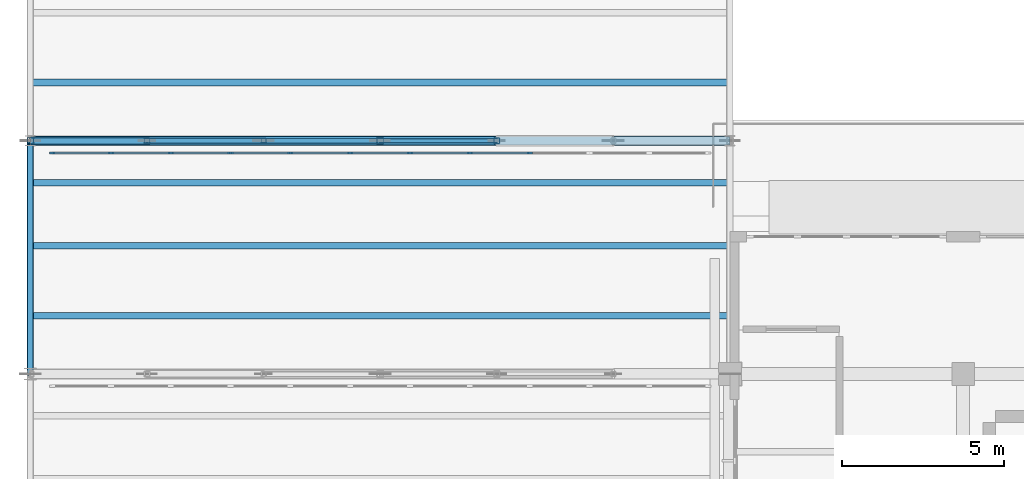
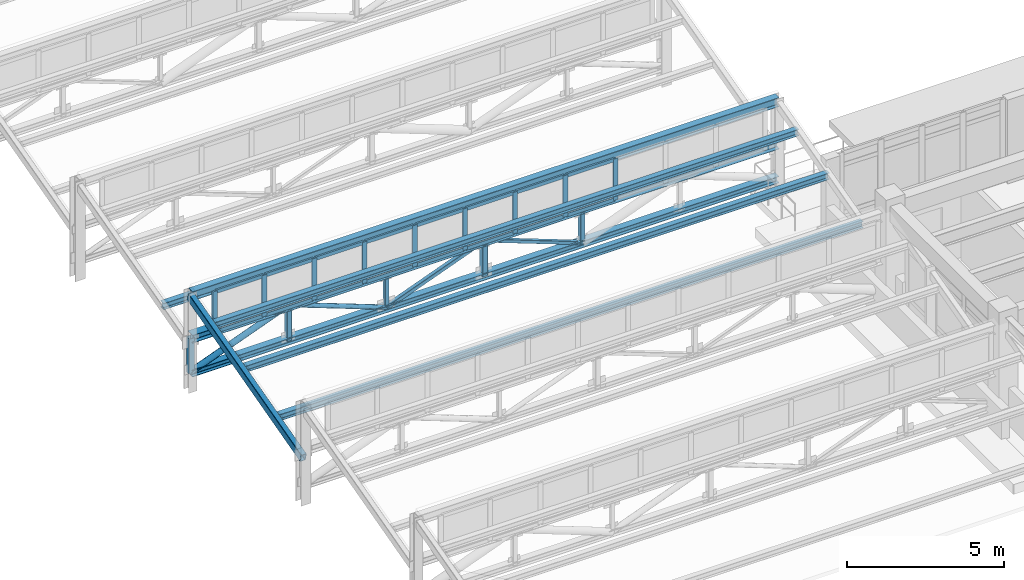
# One storey, part 8 of 55: 36 members, 6 beams, 1 element without a shape of its own.
"""IFC4 building model written with IfcOpenShell, lengths in metres."""

from ifc_helpers import new_model, si_unit, direction, frame, origin, origin_2d, place, context, subcontext, project, spatial, rectangle, hollow_rectangle, hollow_circle, i_section, extrude, material, layer, layer_set, material_profile, profile_set, type_object, element, aggregate, save


model = new_model("IFC4")

# Units and contexts
model_context = context("Model", 3, precision=1e-05, world=origin(), true_north=direction((0.0, 1.0)))
body_context = subcontext(model_context, "Body", "Model", "MODEL_VIEW")
ifc_project = project(units=[si_unit("LENGTHUNIT", "METRE"), si_unit("AREAUNIT", "SQUARE_METRE"), si_unit("VOLUMEUNIT", "CUBIC_METRE"), si_unit("PLANEANGLEUNIT", "RADIAN"), si_unit("MASSUNIT", "GRAM", prefix="KILO")], contexts=[model_context])

# Site, building, storey
site_placement = place(None, origin())
site = spatial("IfcSite", under=ifc_project, at=site_placement, CompositionType="ELEMENT")
building_placement = place(site_placement, origin())
building = spatial("IfcBuilding", under=site, at=building_placement, Name="Solenvale Faculty of Natural Sciences", CompositionType="ELEMENT")
storey_placement = place(building_placement, frame((0.0, 0.0, 22.5)))
storey = spatial("IfcBuildingStorey", under=building, at=storey_placement, Name="L05", CompositionType="ELEMENT", Elevation=22.5)

# Beams
ifc_material_1 = material(Name="Steel S355", Category="steel")
ifc_material_profile_1 = material_profile(ifc_material_1, i_section(OverallWidth=0.202880859375, OverallDepth=0.251953125, WebThickness=0.008056640625, FlangeThickness=0.013427734375, FilletRadius=0.012939453125, at=origin_2d()), Name="W250x58")
ifc_profile_set_1 = profile_set([ifc_material_profile_1], Name="Steel S355")
beam_type_1 = type_object("IfcBeamType", Name="BM-PRL-W250x58", PredefinedType="JOIST", material=ifc_profile_set_1)
for number, where, z_axis, x_axis, name in (
    (1, (36.0, 30.60009765625, 2.19482421875), (1.0, 0.0, 0.0), (0.0, 1.0, 0.0), "V3 Sawtooth Purlin 3.1.1"),
    (2, (36.0, 32.760009765625, 2.773681640625), (1.0, 0.0, 0.0), (0.0, 1.0, 0.0), "V3 Sawtooth Purlin 3.1.2"),
    (3, (36.0, 34.7041015625, 3.294921875), (1.0, 0.0, 0.0), (0.0, 1.0, 0.0), "V3 Sawtooth Purlin 3.1.3"),
    (4, (36.0, 37.800048828125, 2.19482421875), (1.0, 0.0, 0.0), (0.0, 1.0, 0.0), "V3 Sawtooth Purlin 4.1.1"),
):
    element("IfcBeam", number, at=place(storey_placement, frame(where, z_axis=z_axis, x_axis=x_axis)), inside=storey, type_object=beam_type_1, Name=name, PredefinedType="JOIST", context=body_context, shape_type="SweptSolid", body=[
        extrude(i_section(OverallWidth=0.202880859375, OverallDepth=0.251953125, WebThickness=0.008056640625, FlangeThickness=0.013427734375, FilletRadius=0.012939453125, at=origin_2d()), origin(), (0.0, 0.0, 1.0), 21.60009765625),
    ])
ifc_material_profile_2 = material_profile(ifc_material_1, hollow_rectangle(XDim=0.202880859375, YDim=0.304931640625, WallThickness=0.0126953125, InnerFilletRadius=0.0126953125, OuterFilletRadius=0.025390625, at=origin_2d()), Name="HSS305x203x13")
ifc_profile_set_2 = profile_set([ifc_material_profile_2], Name="Steel S355")
beam_type_2 = type_object("IfcBeamType", Name="BM-RAF-HSS305", PredefinedType="BEAM", material=ifc_profile_set_2)
beam_1_placement = place(storey_placement, frame((36.0, 28.800048828125, 1.719970703125), z_axis=(0.0, 0.965901991803, 0.258907980238), x_axis=(-1.0, 0.0, 0.0)))
element("IfcBeam", 5, at=beam_1_placement, inside=storey, type_object=beam_type_2, Name="V3 Sawtooth End Rafter 3.1.W", PredefinedType="BEAM", context=body_context, shape_type="SweptSolid", body=[
    extrude(hollow_rectangle(XDim=0.202880859375, YDim=0.304931640625, WallThickness=0.0126953125, InnerFilletRadius=0.0126953125, OuterFilletRadius=0.025390625, at=origin_2d()), origin(), (0.0, 0.0, 1.0), 7.4541015625),
])
ifc_material_profile_3 = material_profile(ifc_material_1, i_section(OverallWidth=0.2548828125, OverallDepth=0.35693359375, WebThickness=0.010498046875, FlangeThickness=0.018310546875, FilletRadius=0.014892578125, at=origin_2d()), Name="W360x101")
ifc_profile_set_3 = profile_set([ifc_material_profile_3], Name="Steel S355")
beam_type_3 = type_object("IfcBeamType", Name="BM-STL-W360x101", PredefinedType="JOIST", material=ifc_profile_set_3)
beam_2_placement = place(storey_placement, frame((36.0, 36.0, 3.705078125), z_axis=(1.0, 0.0, 0.0), x_axis=(0.0, 1.0, 0.0)))
element("IfcBeam", 6, at=beam_2_placement, inside=storey, type_object=beam_type_3, Name="V3 Sawtooth Clerestory Ridge Beam 3.1", PredefinedType="JOIST", context=body_context, shape_type="SweptSolid", body=[
    extrude(i_section(OverallWidth=0.2548828125, OverallDepth=0.35693359375, WebThickness=0.010498046875, FlangeThickness=0.018310546875, FilletRadius=0.014892578125, at=origin_2d()), origin(), (0.0, 0.0, 1.0), 21.60009765625),
])

# Curtain wall, members
ifc_material_2 = material(Name="Anodised bronze aluminium", Category="aluminium")
ifc_layer = layer(ifc_material_2, 0.1650390625)
ifc_layer_set = layer_set([ifc_layer], Name="Anodised bronze aluminium")
curtain_wall_type = type_object("IfcCurtainWallType", Name="CW-SAW-CLR", PredefinedType="USERDEFINED", material=ifc_layer_set)
curtain_wall_placement = place(storey_placement, origin())
curtain_wall = element("IfcCurtainWall", 7, at=curtain_wall_placement, inside=storey, type_object=curtain_wall_type, Name="L05 Curtain Wall SAW-V3-CW-3-1", ObjectType="NORTH LIGHT CLERESTORY", PredefinedType="USERDEFINED")
ifc_material_profile_4 = material_profile(ifc_material_2, rectangle(XDim=0.06494140625, YDim=0.175048828125, at=origin_2d()), Name="ALU-MUL-65x175")
ifc_profile_set_4 = profile_set([ifc_material_profile_4], Name="Anodised bronze aluminium")
member_type_1 = type_object("IfcMemberType", Name="CWM-ALU-65x175", PredefinedType="MULLION", material=ifc_profile_set_4)
member_1_placement = place(storey_placement, frame((51.418212890625, 35.6201171875, 2.22998046875), z_axis=(0.0, 0.0, 1.0), x_axis=(0.0, -1.0, 0.0)))
member_1 = element("IfcMember", 8, at=member_1_placement, type_object=member_type_1, Name="CW-05 mullion 4", PredefinedType="MULLION", context=body_context, shape_type="SweptSolid", body=[
    extrude(rectangle(XDim=0.06494140625, YDim=0.175048828125, at=origin_2d()), origin(), (0.0, 0.0, 1.0), 1.610107421875),
])
member_2_placement = place(storey_placement, frame((49.57080078125, 35.6201171875, 2.22998046875), z_axis=(0.0, 0.0, 1.0), x_axis=(0.0, -1.0, 0.0)))
member_2 = element("IfcMember", 9, at=member_2_placement, type_object=member_type_1, Name="CW-05 mullion 5", PredefinedType="MULLION", context=body_context, shape_type="SweptSolid", body=[
    extrude(rectangle(XDim=0.06494140625, YDim=0.175048828125, at=origin_2d()), origin(), (0.0, 0.0, 1.0), 1.610107421875),
])
member_3_placement = place(storey_placement, frame((47.7236328125, 35.6201171875, 2.22998046875), z_axis=(0.0, 0.0, 1.0), x_axis=(0.0, -1.0, 0.0)))
member_3 = element("IfcMember", 10, at=member_3_placement, type_object=member_type_1, Name="CW-05 mullion 6", PredefinedType="MULLION", context=body_context, shape_type="SweptSolid", body=[
    extrude(rectangle(XDim=0.06494140625, YDim=0.175048828125, at=origin_2d()), origin(), (0.0, 0.0, 1.0), 1.610107421875),
])
member_4_placement = place(storey_placement, frame((45.87646484375, 35.6201171875, 2.22998046875), z_axis=(0.0, 0.0, 1.0), x_axis=(0.0, -1.0, 0.0)))
member_4 = element("IfcMember", 11, at=member_4_placement, type_object=member_type_1, Name="CW-05 mullion 7", PredefinedType="MULLION", context=body_context, shape_type="SweptSolid", body=[
    extrude(rectangle(XDim=0.06494140625, YDim=0.175048828125, at=origin_2d()), origin(), (0.0, 0.0, 1.0), 1.610107421875),
])
member_5_placement = place(storey_placement, frame((44.029052734375, 35.6201171875, 2.22998046875), z_axis=(0.0, 0.0, 1.0), x_axis=(0.0, -1.0, 0.0)))
member_5 = element("IfcMember", 12, at=member_5_placement, type_object=member_type_1, Name="CW-05 mullion 8", PredefinedType="MULLION", context=body_context, shape_type="SweptSolid", body=[
    extrude(rectangle(XDim=0.06494140625, YDim=0.175048828125, at=origin_2d()), origin(), (0.0, 0.0, 1.0), 1.610107421875),
])
member_6_placement = place(storey_placement, frame((42.181884765625, 35.6201171875, 2.22998046875), z_axis=(0.0, 0.0, 1.0), x_axis=(0.0, -1.0, 0.0)))
member_6 = element("IfcMember", 13, at=member_6_placement, type_object=member_type_1, Name="CW-05 mullion 9", PredefinedType="MULLION", context=body_context, shape_type="SweptSolid", body=[
    extrude(rectangle(XDim=0.06494140625, YDim=0.175048828125, at=origin_2d()), origin(), (0.0, 0.0, 1.0), 1.610107421875),
])
member_7_placement = place(storey_placement, frame((40.33447265625, 35.6201171875, 2.22998046875), z_axis=(0.0, 0.0, 1.0), x_axis=(0.0, -1.0, 0.0)))
member_7 = element("IfcMember", 14, at=member_7_placement, type_object=member_type_1, Name="CW-05 mullion 10", PredefinedType="MULLION", context=body_context, shape_type="SweptSolid", body=[
    extrude(rectangle(XDim=0.06494140625, YDim=0.175048828125, at=origin_2d()), origin(), (0.0, 0.0, 1.0), 1.610107421875),
])
member_8_placement = place(storey_placement, frame((38.4873046875, 35.6201171875, 2.22998046875), z_axis=(0.0, 0.0, 1.0), x_axis=(0.0, -1.0, 0.0)))
member_8 = element("IfcMember", 15, at=member_8_placement, type_object=member_type_1, Name="CW-05 mullion 11", PredefinedType="MULLION", context=body_context, shape_type="SweptSolid", body=[
    extrude(rectangle(XDim=0.06494140625, YDim=0.175048828125, at=origin_2d()), origin(), (0.0, 0.0, 1.0), 1.610107421875),
])
member_9_placement = place(storey_placement, frame((36.672607421875, 35.6201171875, 2.22998046875), z_axis=(0.0, 0.0, 1.0), x_axis=(0.0, -1.0, 0.0)))
member_9 = element("IfcMember", 16, at=member_9_placement, type_object=member_type_1, Name="CW-05 mullion 12", PredefinedType="MULLION", context=body_context, shape_type="SweptSolid", body=[
    extrude(rectangle(XDim=0.06494140625, YDim=0.175048828125, at=origin_2d()), origin(), (0.0, 0.0, 1.0), 1.610107421875),
])
ifc_material_profile_5 = material_profile(ifc_material_2, rectangle(XDim=0.06494140625, YDim=0.135009765625, at=origin_2d()), Name="ALU-TRN-65x135")
ifc_profile_set_5 = profile_set([ifc_material_profile_5], Name="Anodised bronze aluminium")
member_type_2 = type_object("IfcMemberType", Name="CWT-ALU-65x135", PredefinedType="USERDEFINED", material=ifc_profile_set_5)
member_10_placement = place(storey_placement, frame((51.3857421875, 35.6201171875, 2.262451171875), z_axis=(-1.0, 0.0, 0.0), x_axis=(0.0, -1.0, 0.0)))
member_10 = element("IfcMember", 17, at=member_10_placement, type_object=member_type_2, Name="CW-05 transom 4.1", ObjectType="TRANSOM", PredefinedType="USERDEFINED", context=body_context, shape_type="SweptSolid", body=[
    extrude(rectangle(XDim=0.06494140625, YDim=0.135009765625, at=origin_2d()), origin(), (0.0, 0.0, 1.0), 1.7822265625),
])
member_11_placement = place(storey_placement, frame((51.3857421875, 35.6201171875, 3.8076171875), z_axis=(-1.0, 0.0, 0.0), x_axis=(0.0, -1.0, 0.0)))
member_11 = element("IfcMember", 18, at=member_11_placement, type_object=member_type_2, Name="CW-05 transom 4.2", ObjectType="TRANSOM", PredefinedType="USERDEFINED", context=body_context, shape_type="SweptSolid", body=[
    extrude(rectangle(XDim=0.06494140625, YDim=0.135009765625, at=origin_2d()), origin(), (0.0, 0.0, 1.0), 1.7822265625),
])
member_12_placement = place(storey_placement, frame((49.538330078125, 35.6201171875, 2.262451171875), z_axis=(-1.0, 0.0, 0.0), x_axis=(0.0, -1.0, 0.0)))
member_12 = element("IfcMember", 19, at=member_12_placement, type_object=member_type_2, Name="CW-05 transom 5.1", ObjectType="TRANSOM", PredefinedType="USERDEFINED", context=body_context, shape_type="SweptSolid", body=[
    extrude(rectangle(XDim=0.06494140625, YDim=0.135009765625, at=origin_2d()), origin(), (0.0, 0.0, 1.0), 1.7822265625),
])
member_13_placement = place(storey_placement, frame((49.538330078125, 35.6201171875, 3.8076171875), z_axis=(-1.0, 0.0, 0.0), x_axis=(0.0, -1.0, 0.0)))
member_13 = element("IfcMember", 20, at=member_13_placement, type_object=member_type_2, Name="CW-05 transom 5.2", ObjectType="TRANSOM", PredefinedType="USERDEFINED", context=body_context, shape_type="SweptSolid", body=[
    extrude(rectangle(XDim=0.06494140625, YDim=0.135009765625, at=origin_2d()), origin(), (0.0, 0.0, 1.0), 1.7822265625),
])
member_14_placement = place(storey_placement, frame((47.691162109375, 35.6201171875, 2.262451171875), z_axis=(-1.0, 0.0, 0.0), x_axis=(0.0, -1.0, 0.0)))
member_14 = element("IfcMember", 21, at=member_14_placement, type_object=member_type_2, Name="CW-05 transom 6.1", ObjectType="TRANSOM", PredefinedType="USERDEFINED", context=body_context, shape_type="SweptSolid", body=[
    extrude(rectangle(XDim=0.06494140625, YDim=0.135009765625, at=origin_2d()), origin(), (0.0, 0.0, 1.0), 1.7822265625),
])
member_15_placement = place(storey_placement, frame((47.691162109375, 35.6201171875, 3.8076171875), z_axis=(-1.0, 0.0, 0.0), x_axis=(0.0, -1.0, 0.0)))
member_15 = element("IfcMember", 22, at=member_15_placement, type_object=member_type_2, Name="CW-05 transom 6.2", ObjectType="TRANSOM", PredefinedType="USERDEFINED", context=body_context, shape_type="SweptSolid", body=[
    extrude(rectangle(XDim=0.06494140625, YDim=0.135009765625, at=origin_2d()), origin(), (0.0, 0.0, 1.0), 1.7822265625),
])
member_16_placement = place(storey_placement, frame((45.84375, 35.6201171875, 2.262451171875), z_axis=(-1.0, 0.0, 0.0), x_axis=(0.0, -1.0, 0.0)))
member_16 = element("IfcMember", 23, at=member_16_placement, type_object=member_type_2, Name="CW-05 transom 7.1", ObjectType="TRANSOM", PredefinedType="USERDEFINED", context=body_context, shape_type="SweptSolid", body=[
    extrude(rectangle(XDim=0.06494140625, YDim=0.135009765625, at=origin_2d()), origin(), (0.0, 0.0, 1.0), 1.7822265625),
])
member_17_placement = place(storey_placement, frame((45.84375, 35.6201171875, 3.8076171875), z_axis=(-1.0, 0.0, 0.0), x_axis=(0.0, -1.0, 0.0)))
member_17 = element("IfcMember", 24, at=member_17_placement, type_object=member_type_2, Name="CW-05 transom 7.2", ObjectType="TRANSOM", PredefinedType="USERDEFINED", context=body_context, shape_type="SweptSolid", body=[
    extrude(rectangle(XDim=0.06494140625, YDim=0.135009765625, at=origin_2d()), origin(), (0.0, 0.0, 1.0), 1.7822265625),
])
member_18_placement = place(storey_placement, frame((43.99658203125, 35.6201171875, 2.262451171875), z_axis=(-1.0, 0.0, 0.0), x_axis=(0.0, -1.0, 0.0)))
member_18 = element("IfcMember", 25, at=member_18_placement, type_object=member_type_2, Name="CW-05 transom 8.1", ObjectType="TRANSOM", PredefinedType="USERDEFINED", context=body_context, shape_type="SweptSolid", body=[
    extrude(rectangle(XDim=0.06494140625, YDim=0.135009765625, at=origin_2d()), origin(), (0.0, 0.0, 1.0), 1.7822265625),
])
member_19_placement = place(storey_placement, frame((43.99658203125, 35.6201171875, 3.8076171875), z_axis=(-1.0, 0.0, 0.0), x_axis=(0.0, -1.0, 0.0)))
member_19 = element("IfcMember", 26, at=member_19_placement, type_object=member_type_2, Name="CW-05 transom 8.2", ObjectType="TRANSOM", PredefinedType="USERDEFINED", context=body_context, shape_type="SweptSolid", body=[
    extrude(rectangle(XDim=0.06494140625, YDim=0.135009765625, at=origin_2d()), origin(), (0.0, 0.0, 1.0), 1.7822265625),
])
member_20_placement = place(storey_placement, frame((42.1494140625, 35.6201171875, 2.262451171875), z_axis=(-1.0, 0.0, 0.0), x_axis=(0.0, -1.0, 0.0)))
member_20 = element("IfcMember", 27, at=member_20_placement, type_object=member_type_2, Name="CW-05 transom 9.1", ObjectType="TRANSOM", PredefinedType="USERDEFINED", context=body_context, shape_type="SweptSolid", body=[
    extrude(rectangle(XDim=0.06494140625, YDim=0.135009765625, at=origin_2d()), origin(), (0.0, 0.0, 1.0), 1.782470703125),
])
member_21_placement = place(storey_placement, frame((42.1494140625, 35.6201171875, 3.8076171875), z_axis=(-1.0, 0.0, 0.0), x_axis=(0.0, -1.0, 0.0)))
member_21 = element("IfcMember", 28, at=member_21_placement, type_object=member_type_2, Name="CW-05 transom 9.2", ObjectType="TRANSOM", PredefinedType="USERDEFINED", context=body_context, shape_type="SweptSolid", body=[
    extrude(rectangle(XDim=0.06494140625, YDim=0.135009765625, at=origin_2d()), origin(), (0.0, 0.0, 1.0), 1.782470703125),
])
member_22_placement = place(storey_placement, frame((40.302001953125, 35.6201171875, 2.262451171875), z_axis=(-1.0, 0.0, 0.0), x_axis=(0.0, -1.0, 0.0)))
member_22 = element("IfcMember", 29, at=member_22_placement, type_object=member_type_2, Name="CW-05 transom 10.1", ObjectType="TRANSOM", PredefinedType="USERDEFINED", context=body_context, shape_type="SweptSolid", body=[
    extrude(rectangle(XDim=0.06494140625, YDim=0.135009765625, at=origin_2d()), origin(), (0.0, 0.0, 1.0), 1.7822265625),
])
member_23_placement = place(storey_placement, frame((40.302001953125, 35.6201171875, 3.8076171875), z_axis=(-1.0, 0.0, 0.0), x_axis=(0.0, -1.0, 0.0)))
member_23 = element("IfcMember", 30, at=member_23_placement, type_object=member_type_2, Name="CW-05 transom 10.2", ObjectType="TRANSOM", PredefinedType="USERDEFINED", context=body_context, shape_type="SweptSolid", body=[
    extrude(rectangle(XDim=0.06494140625, YDim=0.135009765625, at=origin_2d()), origin(), (0.0, 0.0, 1.0), 1.7822265625),
])
member_24_placement = place(storey_placement, frame((38.454833984375, 35.6201171875, 2.262451171875), z_axis=(-1.0, 0.0, 0.0), x_axis=(0.0, -1.0, 0.0)))
member_24 = element("IfcMember", 31, at=member_24_placement, type_object=member_type_2, Name="CW-05 transom 11.1", ObjectType="TRANSOM", PredefinedType="USERDEFINED", context=body_context, shape_type="SweptSolid", body=[
    extrude(rectangle(XDim=0.06494140625, YDim=0.135009765625, at=origin_2d()), origin(), (0.0, 0.0, 1.0), 1.749755859375),
])
member_25_placement = place(storey_placement, frame((38.454833984375, 35.6201171875, 3.8076171875), z_axis=(-1.0, 0.0, 0.0), x_axis=(0.0, -1.0, 0.0)))
member_25 = element("IfcMember", 32, at=member_25_placement, type_object=member_type_2, Name="CW-05 transom 11.2", ObjectType="TRANSOM", PredefinedType="USERDEFINED", context=body_context, shape_type="SweptSolid", body=[
    extrude(rectangle(XDim=0.06494140625, YDim=0.135009765625, at=origin_2d()), origin(), (0.0, 0.0, 1.0), 1.749755859375),
])
aggregate(curtain_wall, [member_1, member_2, member_3, member_4, member_5, member_6, member_7, member_8, member_9, member_10, member_11, member_12, member_13, member_14, member_15, member_16, member_17, member_18, member_19, member_20, member_21, member_22, member_23, member_24, member_25])

# Members
ifc_material_profile_6 = material_profile(ifc_material_1, hollow_circle(Radius=0.084228515625, WallThickness=0.008056640625, at=origin_2d()), Name="HSS168x8.0")
ifc_profile_set_6 = profile_set([ifc_material_profile_6], Name="Steel S355")
member_type_3 = type_object("IfcMemberType", Name="MB-BRC-CHS168", PredefinedType="BRACE", material=ifc_profile_set_6)
member_26_placement = place(storey_placement, frame((39.60009765625, 36.0, 2.050048828125), z_axis=(0.935458110384, 0.0, -0.353437581075), x_axis=(0.0, 1.0, 0.0)))
element("IfcMember", 33, at=member_26_placement, inside=storey, type_object=member_type_3, Name="V3 Truss 3.1 Diagonal 2", PredefinedType="BRACE", context=body_context, shape_type="SweptSolid", body=[
    extrude(hollow_circle(Radius=0.084228515625, WallThickness=0.008056640625, at=origin_2d()), origin(), (0.0, 0.0, 1.0), 3.84814453125),
])
ifc_material_profile_7 = material_profile(ifc_material_1, hollow_circle(Radius=0.109619140625, WallThickness=0.009521484375, at=origin_2d()), Name="HSS219x9.5")
ifc_profile_set_7 = profile_set([ifc_material_profile_7], Name="Steel S355")
member_type_4 = type_object("IfcMemberType", Name="MB-BRC-CHS219", PredefinedType="BRACE", material=ifc_profile_set_7)
member_27_placement = place(storey_placement, frame((36.0, 36.0, 0.68994140625), z_axis=(0.935466034784, 0.0, 0.353416606522), x_axis=(0.0, 1.0, 0.0)))
element("IfcMember", 34, at=member_27_placement, inside=storey, type_object=member_type_4, Name="V3 Truss 3.1 Diagonal 1", PredefinedType="BRACE", context=body_context, shape_type="SweptSolid", body=[
    extrude(hollow_circle(Radius=0.109619140625, WallThickness=0.009521484375, at=origin_2d()), origin(), (0.0, 0.0, 1.0), 3.848388671875),
])
ifc_material_profile_8 = material_profile(ifc_material_1, hollow_rectangle(XDim=0.126953125, YDim=0.126953125, WallThickness=0.008056640625, InnerFilletRadius=0.008056640625, OuterFilletRadius=0.01611328125, at=origin_2d()), Name="HSS127x127x8.0")
ifc_profile_set_8 = profile_set([ifc_material_profile_8], Name="Steel S355")
member_type_5 = type_object("IfcMemberType", Name="MB-BRC-HSS127", PredefinedType="BRACE", material=ifc_profile_set_8)
member_28_placement = place(storey_placement, frame((46.800048828125, 36.0, 2.050048828125), z_axis=(0.935458110384, 0.0, -0.353437581075), x_axis=(0.0, 1.0, 0.0)))
element("IfcMember", 35, at=member_28_placement, inside=storey, type_object=member_type_5, Name="V3 Truss 3.1 Diagonal 4", PredefinedType="BRACE", context=body_context, shape_type="SweptSolid", body=[
    extrude(hollow_rectangle(XDim=0.126953125, YDim=0.126953125, WallThickness=0.008056640625, InnerFilletRadius=0.008056640625, OuterFilletRadius=0.01611328125, at=origin_2d()), origin(), (0.0, 0.0, 1.0), 3.84814453125),
])
ifc_material_profile_9 = material_profile(ifc_material_1, hollow_rectangle(XDim=0.152099609375, YDim=0.152099609375, WallThickness=0.009521484375, InnerFilletRadius=0.009521484375, OuterFilletRadius=0.01904296875, at=origin_2d()), Name="HSS152x152x9.5")
ifc_profile_set_9 = profile_set([ifc_material_profile_9], Name="Steel S355")
member_type_6 = type_object("IfcMemberType", Name="MB-BRC-HSS152", PredefinedType="BRACE", material=ifc_profile_set_9)
member_29_placement = place(storey_placement, frame((43.199951171875, 36.0, 0.68994140625), z_axis=(0.935466034784, 0.0, 0.353416606522), x_axis=(0.0, 1.0, 0.0)))
element("IfcMember", 36, at=member_29_placement, inside=storey, type_object=member_type_6, Name="V3 Truss 3.1 Diagonal 3", PredefinedType="BRACE", context=body_context, shape_type="SweptSolid", body=[
    extrude(hollow_rectangle(XDim=0.152099609375, YDim=0.152099609375, WallThickness=0.009521484375, InnerFilletRadius=0.009521484375, OuterFilletRadius=0.01904296875, at=origin_2d()), origin(), (0.0, 0.0, 1.0), 3.848388671875),
])
ifc_material_profile_10 = material_profile(ifc_material_1, i_section(OverallWidth=0.256103515625, OverallDepth=0.260009765625, WebThickness=0.0107421875, FlangeThickness=0.017333984375, FilletRadius=0.012939453125, at=origin_2d()), Name="W250x89")
ifc_profile_set_10 = profile_set([ifc_material_profile_10], Name="Steel S355")
member_type_7 = type_object("IfcMemberType", Name="MB-CHD-W250x89", PredefinedType="CHORD", material=ifc_profile_set_10)
member_30_placement = place(storey_placement, frame((36.0, 36.0, 0.68994140625), z_axis=(1.0, 0.0, 0.0), x_axis=(0.0, 1.0, 0.0)))
element("IfcMember", 37, at=member_30_placement, inside=storey, type_object=member_type_7, Name="V3 Truss 3.1 Bottom Chord", PredefinedType="CHORD", context=body_context, shape_type="SweptSolid", body=[
    extrude(i_section(OverallWidth=0.256103515625, OverallDepth=0.260009765625, WebThickness=0.0107421875, FlangeThickness=0.017333984375, FilletRadius=0.012939453125, at=origin_2d()), origin(), (0.0, 0.0, 1.0), 21.60009765625),
])
ifc_material_profile_11 = material_profile(ifc_material_1, i_section(OverallWidth=0.304931640625, OverallDepth=0.30810546875, WebThickness=0.010009765625, FlangeThickness=0.015380859375, FilletRadius=0.014892578125, at=origin_2d()), Name="W310x97")
ifc_profile_set_11 = profile_set([ifc_material_profile_11], Name="Steel S355")
member_type_8 = type_object("IfcMemberType", Name="MB-CHD-W310x97", PredefinedType="CHORD", material=ifc_profile_set_11)
member_31_placement = place(storey_placement, frame((36.0, 36.0, 2.050048828125), z_axis=(1.0, 0.0, 0.0), x_axis=(0.0, 1.0, 0.0)))
element("IfcMember", 38, at=member_31_placement, inside=storey, type_object=member_type_8, Name="V3 Truss 3.1 Top Chord", PredefinedType="CHORD", context=body_context, shape_type="SweptSolid", body=[
    extrude(i_section(OverallWidth=0.304931640625, OverallDepth=0.30810546875, WebThickness=0.010009765625, FlangeThickness=0.015380859375, FilletRadius=0.014892578125, at=origin_2d()), origin(), (0.0, 0.0, 1.0), 21.60009765625),
])
ifc_material_profile_12 = material_profile(ifc_material_1, hollow_rectangle(XDim=0.152099609375, YDim=0.152099609375, WallThickness=0.009521484375, InnerFilletRadius=0.009521484375, OuterFilletRadius=0.01904296875, at=origin_2d()), Name="HSS152x152x9.5")
ifc_profile_set_12 = profile_set([ifc_material_profile_12], Name="Steel S355")
member_type_9 = type_object("IfcMemberType", Name="MB-STR-HSS152", PredefinedType="STRUT", material=ifc_profile_set_12)
member_32_placement = place(storey_placement, frame((43.199951171875, 36.0, 0.68994140625), z_axis=(0.0, 0.0, 1.0), x_axis=(1.0, 0.0, 0.0)))
element("IfcMember", 39, at=member_32_placement, inside=storey, type_object=member_type_9, Name="V3 Truss 3.1 Strut 2", PredefinedType="STRUT", context=body_context, shape_type="SweptSolid", body=[
    extrude(hollow_rectangle(XDim=0.152099609375, YDim=0.152099609375, WallThickness=0.009521484375, InnerFilletRadius=0.009521484375, OuterFilletRadius=0.01904296875, at=origin_2d()), origin(), (0.0, 0.0, 1.0), 1.360107421875),
])
ifc_material_profile_13 = material_profile(ifc_material_1, hollow_rectangle(XDim=0.177978515625, YDim=0.177978515625, WallThickness=0.009521484375, InnerFilletRadius=0.009521484375, OuterFilletRadius=0.01904296875, at=origin_2d()), Name="HSS178x178x9.5")
ifc_profile_set_13 = profile_set([ifc_material_profile_13], Name="Steel S355")
member_type_10 = type_object("IfcMemberType", Name="MB-STR-HSS178", PredefinedType="STRUT", material=ifc_profile_set_13)
for number, where, z_axis, x_axis, name in (
    (40, (39.60009765625, 36.0, 0.68994140625), (0.0, 0.0, 1.0), (1.0, 0.0, 0.0), "V3 Truss 3.1 Strut 1"),
    (41, (50.39990234375, 36.0, 0.68994140625), (0.0, 0.0, 1.0), (1.0, 0.0, 0.0), "V3 Truss 3.1 Strut 4"),
):
    element("IfcMember", number, at=place(storey_placement, frame(where, z_axis=z_axis, x_axis=x_axis)), inside=storey, type_object=member_type_10, Name=name, PredefinedType="STRUT", context=body_context, shape_type="SweptSolid", body=[
        extrude(hollow_rectangle(XDim=0.177978515625, YDim=0.177978515625, WallThickness=0.009521484375, InnerFilletRadius=0.009521484375, OuterFilletRadius=0.01904296875, at=origin_2d()), origin(), (0.0, 0.0, 1.0), 1.360107421875),
    ])
ifc_material_profile_14 = material_profile(ifc_material_1, hollow_rectangle(XDim=0.202880859375, YDim=0.202880859375, WallThickness=0.0126953125, InnerFilletRadius=0.0126953125, OuterFilletRadius=0.025390625, at=origin_2d()), Name="HSS203x203x13")
ifc_profile_set_14 = profile_set([ifc_material_profile_14], Name="Steel S355")
member_type_11 = type_object("IfcMemberType", Name="MB-STR-HSS203", PredefinedType="STRUT", material=ifc_profile_set_14)
for number, where, z_axis, x_axis, name in (
    (42, (36.0, 36.0, 0.68994140625), (0.0, 0.0, 1.0), (1.0, 0.0, 0.0), "V3 Truss 3.1 Strut 0"),
    (43, (46.800048828125, 36.0, 0.68994140625), (0.0, 0.0, 1.0), (1.0, 0.0, 0.0), "V3 Truss 3.1 Strut 3"),
):
    element("IfcMember", number, at=place(storey_placement, frame(where, z_axis=z_axis, x_axis=x_axis)), inside=storey, type_object=member_type_11, Name=name, PredefinedType="STRUT", context=body_context, shape_type="SweptSolid", body=[
        extrude(hollow_rectangle(XDim=0.202880859375, YDim=0.202880859375, WallThickness=0.0126953125, InnerFilletRadius=0.0126953125, OuterFilletRadius=0.025390625, at=origin_2d()), origin(), (0.0, 0.0, 1.0), 1.360107421875),
    ])

save(model, "model.ifc")
